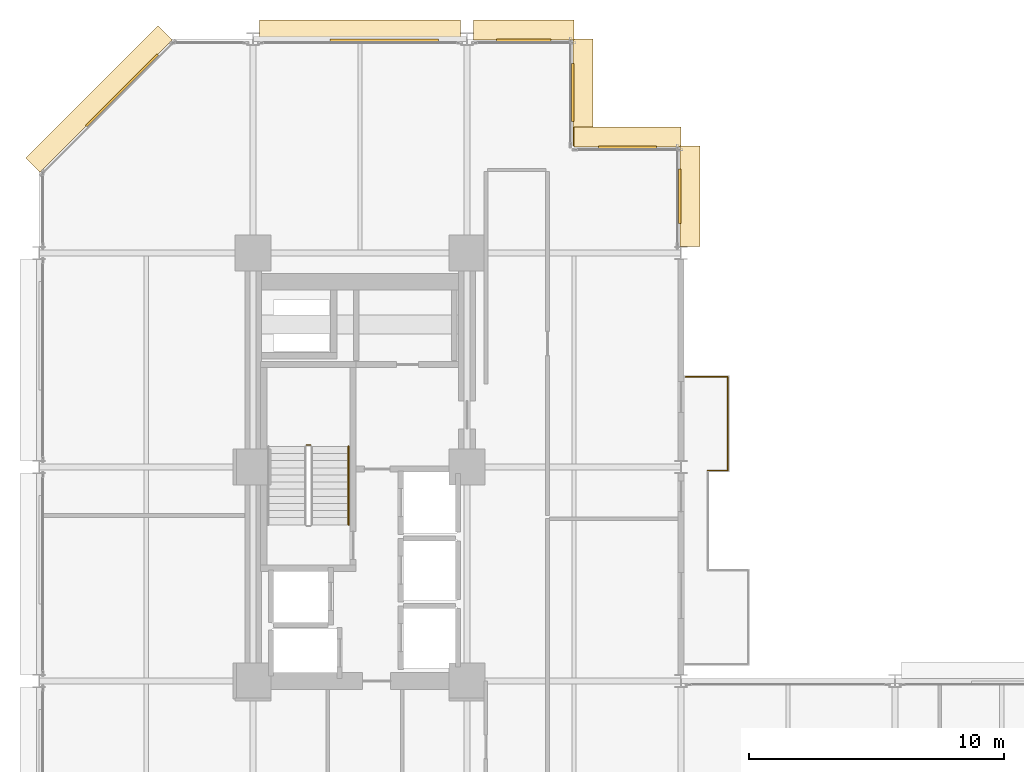
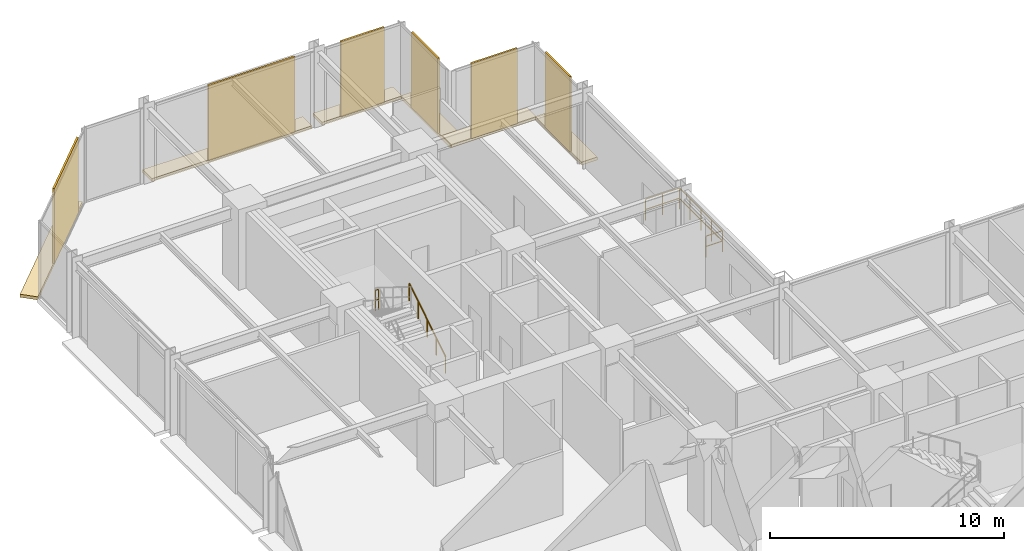
# One storey, part 25 of 25: 12 coverings, 5 railings.
"""IFC4 building model written with IfcOpenShell, lengths in metres."""

from ifc_helpers import new_model, si_unit, direction, frame, origin, origin_2d, place, context, subcontext, project, spatial, polyline, rectangle, circle, outline, extrude, material, layer, layer_set, type_object, element, save


model = new_model("IFC4")

# Units and contexts
model_context = context("Model", 3, precision=1e-05, world=origin(), true_north=direction((0.0, 1.0)))
body_context = subcontext(model_context, "Body", "Model", "MODEL_VIEW")
ifc_project = project(units=[si_unit("LENGTHUNIT", "METRE"), si_unit("AREAUNIT", "SQUARE_METRE"), si_unit("VOLUMEUNIT", "CUBIC_METRE"), si_unit("PLANEANGLEUNIT", "RADIAN"), si_unit("MASSUNIT", "GRAM", prefix="KILO")], contexts=[model_context])

# Site, building, storey
site_placement = place(None, origin())
site = spatial("IfcSite", under=ifc_project, at=site_placement, CompositionType="ELEMENT")
building_placement = place(site_placement, origin())
building = spatial("IfcBuilding", under=site, at=building_placement, Name="Nerrivon Quay Data Exchange", CompositionType="ELEMENT")
storey_placement = place(building_placement, frame((0.0, 0.0, 24.800048828125)))
storey = spatial("IfcBuildingStorey", under=building, at=storey_placement, Name="L05", CompositionType="ELEMENT", Elevation=24.800048828125)

# Coverings
ifc_material_1 = material(Name="Architectural terracotta ceramic", Category="masonry")
ifc_layer_1 = layer(ifc_material_1, 0.159912109375)
ifc_layer_set_1 = layer_set([ifc_layer_1], Name="Architectural terracotta ceramic")
covering_type_1 = type_object("IfcCoveringType", Name="COV-BLD-TERR", PredefinedType="CLADDING", material=ifc_layer_set_1)
covering_1_placement = place(storey_placement, frame((0.0, 0.0, -0.16015625)))
element("IfcCovering", 1, at=covering_1_placement, inside=storey, type_object=covering_type_1, Name="L05 Horizontal Terracotta SOLAR SCREEN Blade", PredefinedType="CLADDING", context=body_context, shape_type="SweptSolid", body=[
    extrude(outline(polyline([(0.0283203125, 45.171630859375), (5.228271484375, 50.37158203125), (4.669677734375, 50.930419921875), (-0.5302734375, 45.730224609375), (0.0283203125, 45.171630859375)])), origin(), (0.0, 0.0, 1.0), 0.16015625),
])
covering_2_placement = place(storey_placement, frame((0.0, 0.0, -0.16015625)))
element("IfcCovering", 2, at=covering_2_placement, inside=storey, type_object=covering_type_1, Name="L05 Horizontal Terracotta SOLAR SCREEN Blade", PredefinedType="CLADDING", context=body_context, shape_type="SweptSolid", body=[
    extrude(outline(polyline([(8.64990234375, 50.360107421875), (16.550048828125, 50.360107421875), (16.550048828125, 51.14990234375), (8.64990234375, 51.14990234375), (8.64990234375, 50.360107421875)])), origin(), (0.0, 0.0, 1.0), 0.16015625),
])
covering_3_placement = place(storey_placement, frame((0.0, 0.0, -0.16015625)))
element("IfcCovering", 3, at=covering_3_placement, inside=storey, type_object=covering_type_1, Name="L05 Horizontal Terracotta SOLAR SCREEN Blade", PredefinedType="CLADDING", context=body_context, shape_type="SweptSolid", body=[
    extrude(outline(polyline([(17.050048828125, 50.360107421875), (21.0, 50.360107421875), (21.0, 51.14990234375), (17.050048828125, 51.14990234375), (17.050048828125, 50.360107421875)])), origin(), (0.0, 0.0, 1.0), 0.16015625),
])
covering_4_placement = place(storey_placement, frame((0.0, 0.0, -0.16015625)))
element("IfcCovering", 4, at=covering_4_placement, inside=storey, type_object=covering_type_1, Name="L05 Horizontal Terracotta SOLAR SCREEN Blade", PredefinedType="CLADDING", context=body_context, shape_type="SweptSolid", body=[
    extrude(outline(polyline([(20.9599609375, 50.39990234375), (20.9599609375, 46.199951171875), (21.75, 46.199951171875), (21.75, 50.39990234375), (20.9599609375, 50.39990234375)])), origin(), (0.0, 0.0, 1.0), 0.16015625),
])
covering_5_placement = place(storey_placement, frame((0.0, 0.0, -0.16015625)))
element("IfcCovering", 5, at=covering_5_placement, inside=storey, type_object=covering_type_1, Name="L05 Horizontal Terracotta SOLAR SCREEN Blade", PredefinedType="CLADDING", context=body_context, shape_type="SweptSolid", body=[
    extrude(outline(polyline([(21.0, 46.159912109375), (25.199951171875, 46.159912109375), (25.199951171875, 46.949951171875), (21.0, 46.949951171875), (21.0, 46.159912109375)])), origin(), (0.0, 0.0, 1.0), 0.16015625),
])
covering_6_placement = place(storey_placement, frame((0.0, 0.0, -0.16015625)))
element("IfcCovering", 6, at=covering_6_placement, inside=storey, type_object=covering_type_1, Name="L05 Horizontal Terracotta SOLAR SCREEN Blade", PredefinedType="CLADDING", context=body_context, shape_type="SweptSolid", body=[
    extrude(outline(polyline([(25.159912109375, 46.199951171875), (25.159912109375, 42.25), (25.949951171875, 42.25), (25.949951171875, 46.199951171875), (25.159912109375, 46.199951171875)])), origin(), (0.0, 0.0, 1.0), 0.16015625),
])
ifc_layer_2 = layer(ifc_material_1, 0.090087890625)
ifc_layer_set_2 = layer_set([ifc_layer_2], Name="Architectural terracotta ceramic")
covering_type_2 = type_object("IfcCoveringType", Name="COV-SCR-TERR", PredefinedType="CLADDING", material=ifc_layer_set_2)
covering_7_placement = place(storey_placement, frame((3.255859375, 48.39208984375, 0.0), z_axis=(0.0, 0.0, 1.0), x_axis=(0.707106781187, 0.707106781187, 0.0)))
element("IfcCovering", 7, at=covering_7_placement, inside=storey, type_object=covering_type_2, Name="L05 Perforated Terracotta SOLAR SCREEN Cassette", PredefinedType="CLADDING", context=body_context, shape_type="SweptSolid", body=[
    extrude(rectangle(XDim=3.970947265625, YDim=0.090087890625, at=origin_2d()), origin(), (0.0, 0.0, 1.0), 3.925048828125),
])
covering_8_placement = place(storey_placement, frame((13.548095703125, 50.35498046875, 0.0), z_axis=(0.0, 0.0, 1.0), x_axis=(1.0, 0.0, 0.0)))
element("IfcCovering", 8, at=covering_8_placement, inside=storey, type_object=covering_type_2, Name="L05 Perforated Terracotta SOLAR SCREEN Cassette", PredefinedType="CLADDING", context=body_context, shape_type="SweptSolid", body=[
    extrude(rectangle(XDim=4.26611328125, YDim=0.090087890625, at=origin_2d()), origin(), (0.0, 0.0, 1.0), 3.925048828125),
])
covering_9_placement = place(storey_placement, frame((19.02490234375, 50.35498046875, 0.0), z_axis=(0.0, 0.0, 1.0), x_axis=(1.0, 0.0, 0.0)))
element("IfcCovering", 9, at=covering_9_placement, inside=storey, type_object=covering_type_2, Name="L05 Perforated Terracotta SOLAR SCREEN Cassette", PredefinedType="CLADDING", context=body_context, shape_type="SweptSolid", body=[
    extrude(rectangle(XDim=2.133056640625, YDim=0.090087890625, at=origin_2d()), origin(), (0.0, 0.0, 1.0), 3.925048828125),
])
for number, where, z_axis, x_axis, name in (
    (10, (20.955078125, 48.300048828125, 0.0), (0.0, 0.0, 1.0), (0.0, -1.0, 0.0), "L05 Perforated Terracotta SOLAR SCREEN Cassette"),
    (11, (23.10009765625, 46.155029296875, 0.0), (0.0, 0.0, 1.0), (1.0, 0.0, 0.0), "L05 Perforated Terracotta SOLAR SCREEN Cassette"),
):
    element("IfcCovering", number, at=place(storey_placement, frame(where, z_axis=z_axis, x_axis=x_axis)), inside=storey, type_object=covering_type_2, Name=name, PredefinedType="CLADDING", context=body_context, shape_type="SweptSolid", body=[
        extrude(rectangle(XDim=2.26806640625, YDim=0.090087890625, at=origin_2d()), origin(), (0.0, 0.0, 1.0), 3.925048828125),
    ])
covering_10_placement = place(storey_placement, frame((25.155029296875, 44.22509765625, 0.0), z_axis=(0.0, 0.0, 1.0), x_axis=(0.0, -1.0, 0.0)))
element("IfcCovering", 12, at=covering_10_placement, inside=storey, type_object=covering_type_2, Name="L05 Perforated Terracotta SOLAR SCREEN Cassette", PredefinedType="CLADDING", context=body_context, shape_type="SweptSolid", body=[
    extrude(rectangle(XDim=2.133056640625, YDim=0.090087890625, at=origin_2d()), origin(), (0.0, 0.0, 1.0), 3.925048828125),
])

# Railings
ifc_material_2 = material(Name="Steel Grade C350L0 (350 MPa)", Category="steel")
railing_type_1 = type_object("IfcRailingType", Name="RAIL-GUARD-GR2", PredefinedType="BALUSTRADE", material=ifc_material_2)
railing_1_placement = place(storey_placement, frame((25.3798828125, 37.139892578125, 0.0)))
element("IfcRailing", 13, at=railing_1_placement, inside=storey, type_object=railing_type_1, Name="L05 Verandah Balcony Guard 1.4 1", PredefinedType="BALUSTRADE", context=body_context, shape_type="SweptSolid", body=[
    extrude(circle(Radius=0.02392578125, at=origin_2d()), frame((0.0, 0.0, 1.09619140625), z_axis=(1.0, 0.0, 0.0), x_axis=(0.0, 1.0, 0.0)), (0.0, 0.0, 1.0), 1.66015625),
    extrude(circle(Radius=0.02392578125, at=origin_2d()), frame((0.0, 0.0, 0.56005859375), z_axis=(1.0, 0.0, 0.0), x_axis=(0.0, 1.0, 0.0)), (0.0, 0.0, 1.0), 1.66015625),
    extrude(circle(Radius=0.02099609375, at=origin_2d()), origin(), (0.0, 0.0, 1.0), 1.072021484375),
    extrude(circle(Radius=0.02099609375, at=origin_2d()), frame((0.830078125, 0.0, 0.0)), (0.0, 0.0, 1.0), 1.072021484375),
    extrude(circle(Radius=0.02099609375, at=origin_2d()), frame((1.66015625, 0.0, 0.0)), (0.0, 0.0, 1.0), 1.072021484375),
])
railing_2_placement = place(storey_placement, frame((27.0400390625, 37.139892578125, 0.0)))
element("IfcRailing", 14, at=railing_2_placement, inside=storey, type_object=railing_type_1, Name="L05 Verandah Balcony Guard 1.5 1", PredefinedType="BALUSTRADE", context=body_context, shape_type="SweptSolid", body=[
    extrude(circle(Radius=0.02392578125, at=origin_2d()), frame((0.0, 0.0, 1.09619140625), z_axis=(0.0, -1.0, 0.0), x_axis=(1.0, 0.0, 0.0)), (0.0, 0.0, 1.0), 3.679931640625),
    extrude(circle(Radius=0.02392578125, at=origin_2d()), frame((0.0, 0.0, 0.56005859375), z_axis=(0.0, -1.0, 0.0), x_axis=(1.0, 0.0, 0.0)), (0.0, 0.0, 1.0), 3.679931640625),
    extrude(circle(Radius=0.02099609375, at=origin_2d()), origin(), (0.0, 0.0, 1.0), 1.072021484375),
    extrude(circle(Radius=0.02099609375, at=origin_2d()), frame((0.0, -0.919921875, 0.0)), (0.0, 0.0, 1.0), 1.072021484375),
    extrude(circle(Radius=0.02099609375, at=origin_2d()), frame((0.0, -1.83984375, 0.0)), (0.0, 0.0, 1.0), 1.072021484375),
    extrude(circle(Radius=0.02099609375, at=origin_2d()), frame((0.0, -2.760009765625, 0.0)), (0.0, 0.0, 1.0), 1.072021484375),
    extrude(circle(Radius=0.02099609375, at=origin_2d()), frame((0.0, -3.679931640625, 0.0)), (0.0, 0.0, 1.0), 1.072021484375),
])
railing_3_placement = place(storey_placement, frame((27.0400390625, 33.4599609375, 0.0)))
element("IfcRailing", 15, at=railing_3_placement, inside=storey, type_object=railing_type_1, Name="L05 Verandah Balcony Guard 1.6 1", PredefinedType="BALUSTRADE", context=body_context, shape_type="SweptSolid", body=[
    extrude(circle(Radius=0.02392578125, at=origin_2d()), frame((0.0, 0.0, 1.09619140625), z_axis=(-1.0, 0.0, 0.0), x_axis=(0.0, -1.0, 0.0)), (0.0, 0.0, 1.0), 0.800048828125),
    extrude(circle(Radius=0.02392578125, at=origin_2d()), frame((0.0, 0.0, 0.56005859375), z_axis=(-1.0, 0.0, 0.0), x_axis=(0.0, -1.0, 0.0)), (0.0, 0.0, 1.0), 0.800048828125),
    extrude(circle(Radius=0.02099609375, at=origin_2d()), origin(), (0.0, 0.0, 1.0), 1.072021484375),
    extrude(circle(Radius=0.02099609375, at=origin_2d()), frame((-0.800048828125, 0.0, 0.0)), (0.0, 0.0, 1.0), 1.072021484375),
])
railing_type_2 = type_object("IfcRailingType", Name="RAIL-HAND-HR1", PredefinedType="HANDRAIL", material=ifc_material_2)
railing_4_placement = place(storey_placement, frame((12.14990234375, 31.330078125, 0.175048828125)))
element("IfcRailing", 16, at=railing_4_placement, inside=storey, type_object=railing_type_2, Name="L05 ST01 stair handrail 1", PredefinedType="HANDRAIL", context=body_context, shape_type="SweptSolid", body=[
    extrude(circle(Radius=0.02392578125, at=origin_2d()), frame((0.0, 0.0, 0.8759765625), z_axis=(0.0, 0.848009633417, 0.529980812513), x_axis=(-1.0, 0.0, 0.0)), (0.0, 0.0, 1.0), 3.6318359375),
    extrude(circle(Radius=0.02099609375, at=origin_2d()), origin(), (0.0, 0.0, 1.0), 0.851806640625),
    extrude(circle(Radius=0.02099609375, at=origin_2d()), frame((0.0, 0.77001953125, 0.481201171875)), (0.0, 0.0, 1.0), 0.851806640625),
    extrude(circle(Radius=0.02099609375, at=origin_2d()), frame((0.0, 1.5400390625, 0.96240234375)), (0.0, 0.0, 1.0), 0.851806640625),
    extrude(circle(Radius=0.02099609375, at=origin_2d()), frame((0.0, 2.309814453125, 1.443603515625)), (0.0, 0.0, 1.0), 0.851806640625),
    extrude(circle(Radius=0.02099609375, at=origin_2d()), frame((0.0, 3.079833984375, 1.9248046875)), (0.0, 0.0, 1.0), 0.851806640625),
])
railing_type_3 = type_object("IfcRailingType", Name="RAIL-STAIR-GR1", PredefinedType="BALUSTRADE", material=ifc_material_2)
railing_5_placement = place(storey_placement, frame((10.64990234375, 34.4599609375, 2.099853515625)))
element("IfcRailing", 17, at=railing_5_placement, inside=storey, type_object=railing_type_3, Name="L05 ST01 stair guard 2", PredefinedType="BALUSTRADE", context=body_context, shape_type="SweptSolid", body=[
    extrude(circle(Radius=0.02392578125, at=origin_2d()), frame((0.0, 0.0, 1.076171875), z_axis=(-1.0, 0.0, 0.0), x_axis=(0.0, -1.0, 0.0)), (0.0, 0.0, 1.0), 0.14990234375),
    extrude(circle(Radius=0.02392578125, at=origin_2d()), frame((0.0, 0.0, 0.550048828125), z_axis=(-1.0, 0.0, 0.0), x_axis=(0.0, -1.0, 0.0)), (0.0, 0.0, 1.0), 0.14990234375),
    extrude(circle(Radius=0.02099609375, at=origin_2d()), origin(), (0.0, 0.0, 1.0), 1.052001953125),
    extrude(circle(Radius=0.02099609375, at=origin_2d()), frame((-0.14990234375, 0.0, 0.0)), (0.0, 0.0, 1.0), 1.052001953125),
])

save(model, "model.ifc")
